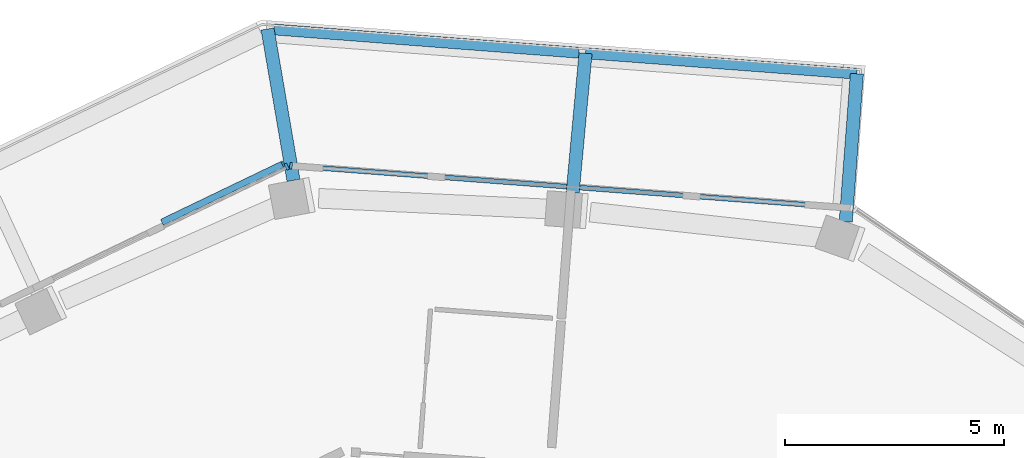
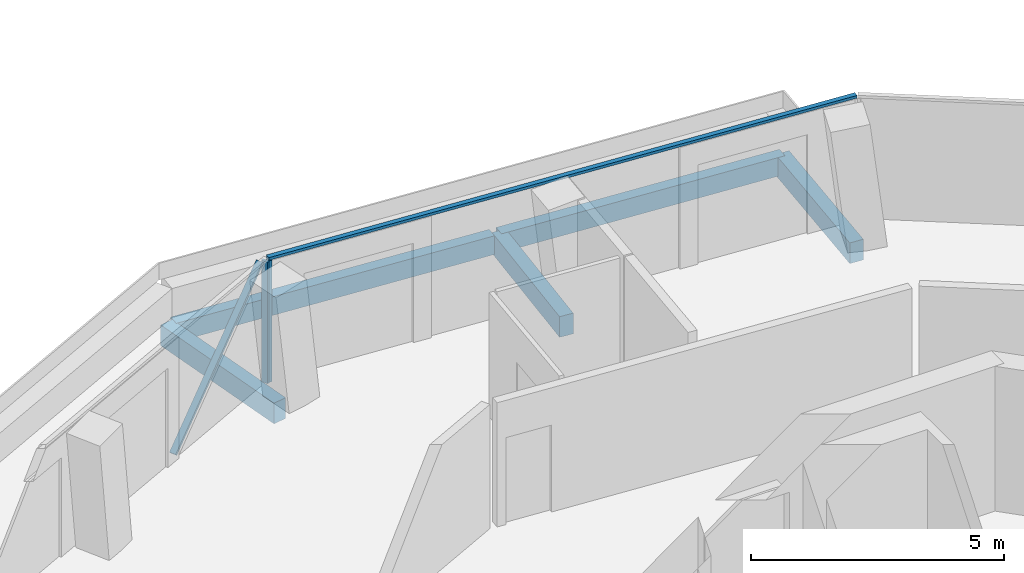
# One storey, part 11 of 23: 5 beams, 4 members, 2 elements without a shape of their own.
"""IFC4 building model written with IfcOpenShell, lengths in metres."""

from ifc_helpers import new_model, si_unit, direction, frame, origin, origin_2d, place, context, subcontext, project, spatial, rectangle, extrude, material, layer, layer_set, material_profile, profile_set, type_object, element, aggregate, save


model = new_model("IFC4")

# Units and contexts
model_context = context("Model", 3, precision=1e-05, world=origin(), true_north=direction((0.0, 1.0)))
body_context = subcontext(model_context, "Body", "Model", "MODEL_VIEW")
ifc_project = project(units=[si_unit("LENGTHUNIT", "METRE"), si_unit("AREAUNIT", "SQUARE_METRE"), si_unit("VOLUMEUNIT", "CUBIC_METRE"), si_unit("PLANEANGLEUNIT", "RADIAN"), si_unit("MASSUNIT", "GRAM", prefix="KILO")], contexts=[model_context])

# Site, building, storey
site_placement = place(None, origin())
site = spatial("IfcSite", under=ifc_project, at=site_placement, CompositionType="ELEMENT")
building_placement = place(site_placement, origin())
building = spatial("IfcBuilding", under=site, at=building_placement, Name="Verdalira Terraces Hotel", CompositionType="ELEMENT")
storey_placement = place(building_placement, frame((0.0, 0.0, 259.5)))
storey = spatial("IfcBuildingStorey", under=building, at=storey_placement, Name="L64", CompositionType="ELEMENT", Elevation=259.5)

# Beams
ifc_material_1 = material(Name="Concrete C40", Category="concrete")
ifc_material_profile_1 = material_profile(ifc_material_1, rectangle(XDim=0.300049, YDim=0.5, at=origin_2d()), Name="RC 300X500")
ifc_profile_set_1 = profile_set([ifc_material_profile_1], Name="Concrete C40")
beam_type_1 = type_object("IfcBeamType", Name="Balcony cantilever beam RC 300X500 C40", PredefinedType="BEAM", material=ifc_profile_set_1)
beam_1_placement = place(storey_placement, frame((8.100098, 23.320801, -0.560059), z_axis=(0.075321104, 0.997159331, 0.0), x_axis=(-0.997159331, 0.075321104, 0.0)))
element("IfcBeam", 1, at=beam_1_placement, inside=storey, type_object=beam_type_1, Name="Balcony cantilever beam R40-3", PredefinedType="BEAM", context=body_context, shape_type="SweptSolid", body=[
    extrude(rectangle(XDim=0.300049, YDim=0.5, at=origin_2d()), origin(), (0.0, 0.0, 1.0), 3.393555),
])
beam_2_placement = place(storey_placement, frame((1.854004, 23.986572, -0.560059), z_axis=(0.091993723, 0.995759587, 0.0), x_axis=(-0.995759587, 0.091993723, 0.0)))
element("IfcBeam", 2, at=beam_2_placement, inside=storey, type_object=beam_type_1, Name="Balcony cantilever beam R40-4", PredefinedType="BEAM", context=body_context, shape_type="SweptSolid", body=[
    extrude(rectangle(XDim=0.300049, YDim=0.5, at=origin_2d()), origin(), (0.0, 0.0, 1.0), 3.200684),
])
beam_3_placement = place(storey_placement, frame((-4.532715, 24.265869, -0.560059), z_axis=(-0.168904033, 0.985632501, 0.0), x_axis=(-0.985632501, -0.168904033, 0.0)))
element("IfcBeam", 3, at=beam_3_placement, inside=storey, type_object=beam_type_1, Name="Balcony cantilever beam R40-5", PredefinedType="BEAM", context=body_context, shape_type="SweptSolid", body=[
    extrude(rectangle(XDim=0.300049, YDim=0.5, at=origin_2d()), origin(), (0.0, 0.0, 1.0), 3.513916),
])
ifc_material_2 = material(Name="Concrete C40", Category="concrete")
ifc_material_profile_2 = material_profile(ifc_material_2, rectangle(XDim=0.25, YDim=0.449951, at=origin_2d()), Name="RC 250X450")
ifc_profile_set_2 = profile_set([ifc_material_profile_2], Name="Concrete C40")
beam_type_2 = type_object("IfcBeamType", Name="Balcony edge beam RC 250X450 C40", PredefinedType="BEAM", material=ifc_profile_set_2)
beam_4_placement = place(storey_placement, frame((8.355713, 26.704834, -0.534912), z_axis=(-0.997160788, 0.075301818, 0.0), x_axis=(-0.075301818, -0.997160788, 0.0)))
element("IfcBeam", 4, at=beam_4_placement, inside=storey, type_object=beam_type_2, Name="Balcony edge beam R40-2", PredefinedType="BEAM", context=body_context, shape_type="SweptSolid", body=[
    extrude(rectangle(XDim=0.25, YDim=0.449951, at=origin_2d()), origin(), (0.0, 0.0, 1.0), 6.224854),
])
beam_5_placement = place(storey_placement, frame((1.998779, 27.185059, -0.534912), z_axis=(-0.997097875, 0.076130336, 0.0), x_axis=(-0.076130336, -0.997097875, 0.0)))
element("IfcBeam", 5, at=beam_5_placement, inside=storey, type_object=beam_type_2, Name="Balcony edge beam R40-3", PredefinedType="BEAM", context=body_context, shape_type="SweptSolid", body=[
    extrude(rectangle(XDim=0.25, YDim=0.449951, at=origin_2d()), origin(), (0.0, 0.0, 1.0), 6.990967),
])

# Curtain wall, member
ifc_material_3 = material(Name="Clear glass", Category="glass")
ifc_layer = layer(ifc_material_3, 0.14990234375)
ifc_layer_set = layer_set([ifc_layer], Name="CW1 curtain wall")
curtain_wall_type = type_object("IfcCurtainWallType", Name="CW1 curtain wall", PredefinedType="NOTDEFINED", material=ifc_layer_set)
curtain_wall_1_placement = place(storey_placement, origin())
curtain_wall_1 = element("IfcCurtainWall", 6, at=curtain_wall_1_placement, inside=storey, type_object=curtain_wall_type, Name="CW1 curtain wall L64 edge 40", PredefinedType="NOTDEFINED")
ifc_material_4 = material(Name="Terracotta frame", Category="masonry")
ifc_material_profile_3 = material_profile(ifc_material_4, rectangle(XDim=0.060059, YDim=0.149902, at=origin_2d()), Name="MU 60x150")
ifc_profile_set_3 = profile_set([ifc_material_profile_3], Name="Terracotta frame")
member_type_1 = type_object("IfcMemberType", Name="CW1 mullion 60x150", PredefinedType="MULLION", material=ifc_profile_set_3)
member_1_placement = place(storey_placement, frame((-4.589844, 24.598877, 0.0), z_axis=(0.0, 0.0, 1.0), x_axis=(-0.9971589, 0.075326806, 0.0)))
member_1 = element("IfcMember", 7, at=member_1_placement, type_object=member_type_1, Name="CW1 mullion", PredefinedType="MULLION", context=body_context, shape_type="SweptSolid", body=[
    extrude(rectangle(XDim=0.060059, YDim=0.149902, at=origin_2d()), origin(), (0.0, 0.0, 1.0), 2.935059),
])

curtain_wall_2_placement = place(storey_placement, origin())
curtain_wall_2 = element("IfcCurtainWall", 8, at=curtain_wall_2_placement, inside=storey, type_object=curtain_wall_type, Name="CW1 curtain wall L64 edge 41", PredefinedType="NOTDEFINED")
member_2_placement = place(storey_placement, frame((-4.685059, 24.581055, 0.0), z_axis=(0.0, 0.0, 1.0), x_axis=(-0.901228342, -0.433344523, 0.0)))
member_2 = element("IfcMember", 9, at=member_2_placement, type_object=member_type_1, Name="CW1 mullion", PredefinedType="MULLION", context=body_context, shape_type="SweptSolid", body=[
    extrude(rectangle(XDim=0.060059, YDim=0.149902, at=origin_2d()), origin(), (0.0, 0.0, 1.0), 2.935059),
])

# Member
ifc_material_5 = material(Name="Terracotta frame", Category="masonry")
ifc_material_profile_4 = material_profile(ifc_material_5, rectangle(XDim=0.110107, YDim=0.064941, at=origin_2d()), Name="TR 65x110")
ifc_profile_set_4 = profile_set([ifc_material_profile_4], Name="Terracotta frame")
member_type_2 = type_object("IfcMemberType", Name="CW1 transom 65x110", PredefinedType="USERDEFINED", material=ifc_profile_set_4)
member_3_placement = place(storey_placement, frame((8.263184, 23.62793, 2.967529), z_axis=(-0.997157829, 0.075340982, 0.0), x_axis=(-0.075340982, -0.997157829, 0.0)))
member_3 = element("IfcMember", 10, at=member_3_placement, type_object=member_type_2, Name="CW1 transom", ObjectType="TRANSOM", PredefinedType="USERDEFINED", context=body_context, shape_type="SweptSolid", body=[
    extrude(rectangle(XDim=0.110107, YDim=0.064941, at=origin_2d()), origin(), (0.0, 0.0, 1.0), 12.919678),
])

aggregate(curtain_wall_1, [member_1, member_3])

ifc_material_6 = material(Name="Terracotta frame", Category="masonry")
ifc_material_profile_5 = material_profile(ifc_material_6, rectangle(XDim=0.149902, YDim=0.060059, at=origin_2d()), Name="GB 60x150")
ifc_profile_set_5 = profile_set([ifc_material_profile_5], Name="Terracotta frame")
member_type_3 = type_object("IfcMemberType", Name="Diagonal glazing bar 60x150", PredefinedType="USERDEFINED", material=ifc_profile_set_5)
member_4_placement = place(storey_placement, frame((-4.772705, 24.637695, 2.911865), z_axis=(-0.654411483, -0.314712537, -0.687533002), x_axis=(0.433396929, -0.901203141, 0.0)))
member_4 = element("IfcMember", 11, at=member_4_placement, type_object=member_type_3, Name="Diagonal glazing bar", ObjectType="GLAZING BAR", PredefinedType="USERDEFINED", context=body_context, shape_type="SweptSolid", body=[
    extrude(rectangle(XDim=0.149902, YDim=0.060059, at=origin_2d()), origin(), (0.0, 0.0, 1.0), 4.201416),
])

aggregate(curtain_wall_2, [member_2, member_4])

save(model, "model.ifc")
